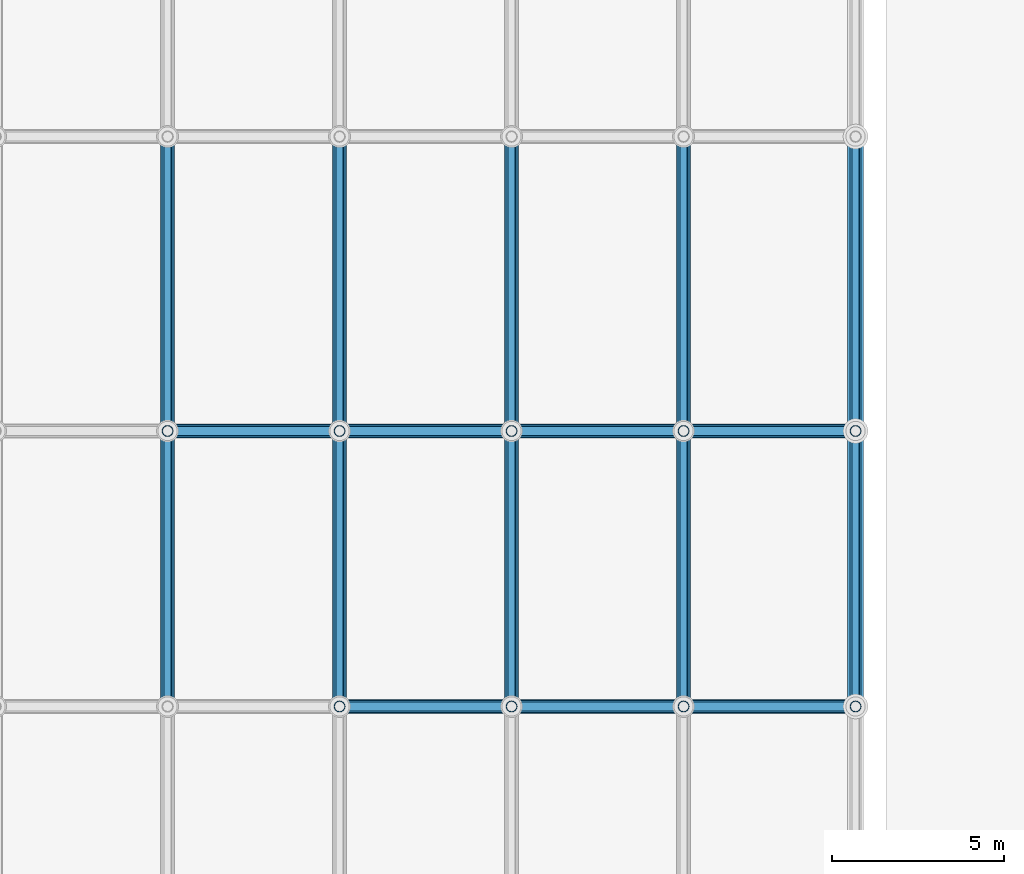
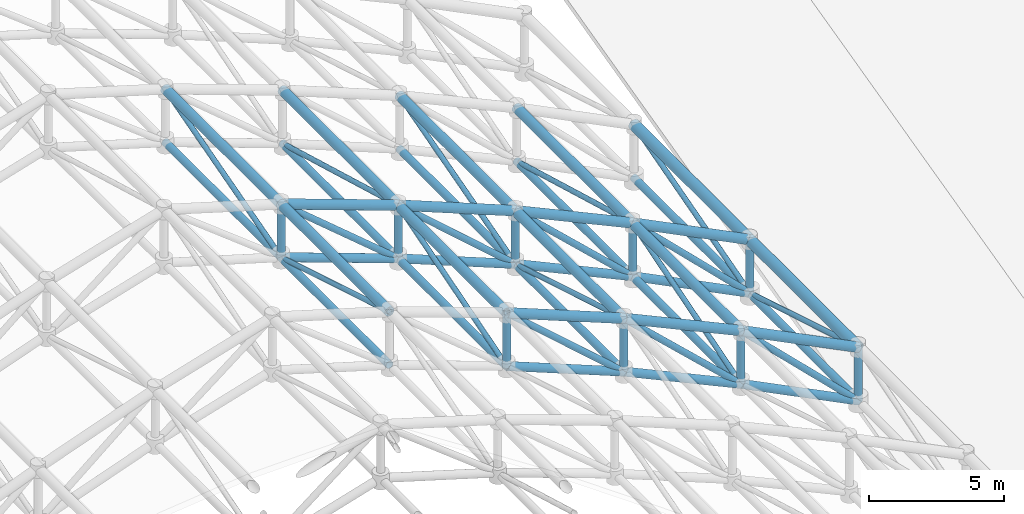
# One storey, part 8 of 11: 60 members.
"""IFC4 building model written with IfcOpenShell, lengths in metres."""

from ifc_helpers import new_model, si_unit, direction, frame, origin, origin_2d, place, context, subcontext, project, spatial, hollow_circle, extrude, material, material_profile, profile_set, type_object, element, save


model = new_model("IFC4")

# Units and contexts
model_context = context("Model", 3, precision=1e-05, world=origin(), true_north=direction((0.0, 1.0)))
body_context = subcontext(model_context, "Body", "Model", "MODEL_VIEW")
ifc_project = project(units=[si_unit("LENGTHUNIT", "METRE"), si_unit("AREAUNIT", "SQUARE_METRE"), si_unit("VOLUMEUNIT", "CUBIC_METRE"), si_unit("PLANEANGLEUNIT", "RADIAN"), si_unit("MASSUNIT", "GRAM", prefix="KILO")], contexts=[model_context])

# Site, building, storey
site_placement = place(None, origin())
site = spatial("IfcSite", under=ifc_project, at=site_placement, CompositionType="ELEMENT")
building_placement = place(site_placement, origin())
building = spatial("IfcBuilding", under=site, at=building_placement, Name="Kazehara Bluff Congress Hotel", CompositionType="ELEMENT")
storey_placement = place(building_placement, frame((0.0, 0.0, 50.39990234375)))
storey = spatial("IfcBuildingStorey", under=building, at=storey_placement, Name="RF", CompositionType="ELEMENT", Elevation=50.39990234375)

# Members
ifc_material_1 = material(Name="Steel STK490", Category="steel")
ifc_material_profile_1 = material_profile(ifc_material_1, hollow_circle(Radius=0.177734375, WallThickness=0.0126953125, at=origin_2d()))
ifc_profile_set_1 = profile_set([ifc_material_profile_1], Name="Steel STK490")
member_type_1 = type_object("IfcMemberType", Name="TP-SF-BC1", PredefinedType="CHORD", material=ifc_profile_set_1)
member_1_placement = place(storey_placement, frame((43.364990234375, 88.89990234375, -23.7998046875), z_axis=(0.928351468575, 0.0, -0.371703579207), x_axis=(0.0, 1.0, 0.0)))
element("IfcMember", 1, at=member_1_placement, inside=storey, type_object=member_type_1, Name="Congress roof space frame bottom arch chord 116", PredefinedType="CHORD", context=body_context, shape_type="SweptSolid", body=[
    extrude(hollow_circle(Radius=0.177734375, WallThickness=0.0126953125, at=origin_2d()), origin(), (0.0, 0.0, 1.0), 5.380615234375),
])
member_2_placement = place(storey_placement, frame((48.360107421875, 88.89990234375, -25.7998046875), z_axis=(0.908324180475, 0.0, -0.41826688031), x_axis=(0.0, 1.0, 0.0)))
element("IfcMember", 2, at=member_2_placement, inside=storey, type_object=member_type_1, Name="Congress roof space frame bottom arch chord 118", PredefinedType="CHORD", context=body_context, shape_type="SweptSolid", body=[
    extrude(hollow_circle(Radius=0.177734375, WallThickness=0.0126953125, at=origin_2d()), origin(), (0.0, 0.0, 1.0), 5.4990234375),
])
member_3_placement = place(storey_placement, frame((53.35498046875, 88.89990234375, -28.099853515625), z_axis=(0.894252293271, 0.0, -0.447563220093), x_axis=(0.0, 1.0, 0.0)))
element("IfcMember", 3, at=member_3_placement, inside=storey, type_object=member_type_1, Name="Congress roof space frame bottom arch chord 120", PredefinedType="CHORD", context=body_context, shape_type="SweptSolid", body=[
    extrude(hollow_circle(Radius=0.177734375, WallThickness=0.0126953125, at=origin_2d()), origin(), (0.0, 0.0, 1.0), 5.585693359375),
])
member_4_placement = place(storey_placement, frame((38.3701171875, 96.89990234375, -22.0), z_axis=(0.940788303939, 0.0, -0.338994641803), x_axis=(0.0, 1.0, 0.0)))
element("IfcMember", 4, at=member_4_placement, inside=storey, type_object=member_type_1, Name="Congress roof space frame bottom arch chord 134", PredefinedType="CHORD", context=body_context, shape_type="SweptSolid", body=[
    extrude(hollow_circle(Radius=0.177734375, WallThickness=0.0126953125, at=origin_2d()), origin(), (0.0, 0.0, 1.0), 5.309326171875),
])
member_5_placement = place(storey_placement, frame((43.364990234375, 96.89990234375, -23.7998046875), z_axis=(0.928351468575, 0.0, -0.371703579207), x_axis=(0.0, 1.0, 0.0)))
element("IfcMember", 5, at=member_5_placement, inside=storey, type_object=member_type_1, Name="Congress roof space frame bottom arch chord 136", PredefinedType="CHORD", context=body_context, shape_type="SweptSolid", body=[
    extrude(hollow_circle(Radius=0.177734375, WallThickness=0.0126953125, at=origin_2d()), origin(), (0.0, 0.0, 1.0), 5.380615234375),
])
member_6_placement = place(storey_placement, frame((48.360107421875, 96.89990234375, -25.7998046875), z_axis=(0.908324180475, 0.0, -0.41826688031), x_axis=(0.0, 1.0, 0.0)))
element("IfcMember", 6, at=member_6_placement, inside=storey, type_object=member_type_1, Name="Congress roof space frame bottom arch chord 138", PredefinedType="CHORD", context=body_context, shape_type="SweptSolid", body=[
    extrude(hollow_circle(Radius=0.177734375, WallThickness=0.0126953125, at=origin_2d()), origin(), (0.0, 0.0, 1.0), 5.4990234375),
])
member_7_placement = place(storey_placement, frame((53.35498046875, 96.89990234375, -28.099853515625), z_axis=(0.894252293271, 0.0, -0.447563220093), x_axis=(0.0, 1.0, 0.0)))
element("IfcMember", 7, at=member_7_placement, inside=storey, type_object=member_type_1, Name="Congress roof space frame bottom arch chord 140", PredefinedType="CHORD", context=body_context, shape_type="SweptSolid", body=[
    extrude(hollow_circle(Radius=0.177734375, WallThickness=0.0126953125, at=origin_2d()), origin(), (0.0, 0.0, 1.0), 5.585693359375),
])
ifc_material_2 = material(Name="Steel STK490", Category="steel")
ifc_material_profile_2 = material_profile(ifc_material_2, hollow_circle(Radius=0.1591796875, WallThickness=0.01025390625, at=origin_2d()))
ifc_profile_set_2 = profile_set([ifc_material_profile_2], Name="Steel STK490")
member_type_2 = type_object("IfcMemberType", Name="TP-SF-BC2", PredefinedType="CHORD", material=ifc_profile_set_2)
member_8_placement = place(storey_placement, frame((38.3701171875, 88.89990234375, -22.0), z_axis=(0.0, 1.0, 0.0), x_axis=(-1.0, 0.0, 0.0)))
element("IfcMember", 8, at=member_8_placement, inside=storey, type_object=member_type_2, Name="Congress roof space frame bottom longitudinal chord 288", PredefinedType="CHORD", context=body_context, shape_type="SweptSolid", body=[
    extrude(hollow_circle(Radius=0.1591796875, WallThickness=0.01025390625, at=origin_2d()), origin(), (0.0, 0.0, 1.0), 8.0),
])
member_9_placement = place(storey_placement, frame((38.3701171875, 96.89990234375, -22.0), z_axis=(0.0, 1.0, 0.0), x_axis=(-1.0, 0.0, 0.0)))
element("IfcMember", 9, at=member_9_placement, inside=storey, type_object=member_type_2, Name="Congress roof space frame bottom longitudinal chord 290", PredefinedType="CHORD", context=body_context, shape_type="SweptSolid", body=[
    extrude(hollow_circle(Radius=0.1591796875, WallThickness=0.01025390625, at=origin_2d()), origin(), (0.0, 0.0, 1.0), 8.550048828125),
])
member_10_placement = place(storey_placement, frame((43.364990234375, 88.89990234375, -23.7998046875), z_axis=(0.0, 1.0, 0.0), x_axis=(-1.0, 0.0, 0.0)))
element("IfcMember", 10, at=member_10_placement, inside=storey, type_object=member_type_2, Name="Congress roof space frame bottom longitudinal chord 304", PredefinedType="CHORD", context=body_context, shape_type="SweptSolid", body=[
    extrude(hollow_circle(Radius=0.1591796875, WallThickness=0.01025390625, at=origin_2d()), origin(), (0.0, 0.0, 1.0), 8.0),
])
member_11_placement = place(storey_placement, frame((43.364990234375, 96.89990234375, -23.7998046875), z_axis=(0.0, 1.0, 0.0), x_axis=(-1.0, 0.0, 0.0)))
element("IfcMember", 11, at=member_11_placement, inside=storey, type_object=member_type_2, Name="Congress roof space frame bottom longitudinal chord 306", PredefinedType="CHORD", context=body_context, shape_type="SweptSolid", body=[
    extrude(hollow_circle(Radius=0.1591796875, WallThickness=0.01025390625, at=origin_2d()), origin(), (0.0, 0.0, 1.0), 8.550048828125),
])
member_12_placement = place(storey_placement, frame((48.360107421875, 88.89990234375, -25.7998046875), z_axis=(0.0, 1.0, 0.0), x_axis=(-1.0, 0.0, 0.0)))
element("IfcMember", 12, at=member_12_placement, inside=storey, type_object=member_type_2, Name="Congress roof space frame bottom longitudinal chord 320", PredefinedType="CHORD", context=body_context, shape_type="SweptSolid", body=[
    extrude(hollow_circle(Radius=0.1591796875, WallThickness=0.01025390625, at=origin_2d()), origin(), (0.0, 0.0, 1.0), 8.0),
])
member_13_placement = place(storey_placement, frame((48.360107421875, 96.89990234375, -25.7998046875), z_axis=(0.0, 1.0, 0.0), x_axis=(-1.0, 0.0, 0.0)))
element("IfcMember", 13, at=member_13_placement, inside=storey, type_object=member_type_2, Name="Congress roof space frame bottom longitudinal chord 322", PredefinedType="CHORD", context=body_context, shape_type="SweptSolid", body=[
    extrude(hollow_circle(Radius=0.1591796875, WallThickness=0.01025390625, at=origin_2d()), origin(), (0.0, 0.0, 1.0), 8.550048828125),
])
member_14_placement = place(storey_placement, frame((53.35498046875, 88.89990234375, -28.099853515625), z_axis=(0.0, 1.0, 0.0), x_axis=(-1.0, 0.0, 0.0)))
element("IfcMember", 14, at=member_14_placement, inside=storey, type_object=member_type_2, Name="Congress roof space frame bottom longitudinal chord 336", PredefinedType="CHORD", context=body_context, shape_type="SweptSolid", body=[
    extrude(hollow_circle(Radius=0.1591796875, WallThickness=0.01025390625, at=origin_2d()), origin(), (0.0, 0.0, 1.0), 8.0),
])
member_15_placement = place(storey_placement, frame((53.35498046875, 96.89990234375, -28.099853515625), z_axis=(0.0, 1.0, 0.0), x_axis=(-1.0, 0.0, 0.0)))
element("IfcMember", 15, at=member_15_placement, inside=storey, type_object=member_type_2, Name="Congress roof space frame bottom longitudinal chord 338", PredefinedType="CHORD", context=body_context, shape_type="SweptSolid", body=[
    extrude(hollow_circle(Radius=0.1591796875, WallThickness=0.01025390625, at=origin_2d()), origin(), (0.0, 0.0, 1.0), 8.550048828125),
])
member_16_placement = place(storey_placement, frame((58.35009765625, 88.89990234375, -30.599853515625), z_axis=(0.0, 1.0, 0.0), x_axis=(-1.0, 0.0, 0.0)))
element("IfcMember", 16, at=member_16_placement, inside=storey, type_object=member_type_2, Name="Congress roof space frame bottom longitudinal chord 352", PredefinedType="CHORD", context=body_context, shape_type="SweptSolid", body=[
    extrude(hollow_circle(Radius=0.1591796875, WallThickness=0.01025390625, at=origin_2d()), origin(), (0.0, 0.0, 1.0), 8.0),
])
member_17_placement = place(storey_placement, frame((58.35009765625, 96.89990234375, -30.599853515625), z_axis=(0.0, 1.0, 0.0), x_axis=(-1.0, 0.0, 0.0)))
element("IfcMember", 17, at=member_17_placement, inside=storey, type_object=member_type_2, Name="Congress roof space frame bottom longitudinal chord 354", PredefinedType="CHORD", context=body_context, shape_type="SweptSolid", body=[
    extrude(hollow_circle(Radius=0.1591796875, WallThickness=0.01025390625, at=origin_2d()), origin(), (0.0, 0.0, 1.0), 8.550048828125),
])
ifc_material_3 = material(Name="Steel STK490", Category="steel")
ifc_material_profile_3 = material_profile(ifc_material_3, hollow_circle(Radius=0.1337890625, WallThickness=0.00927734375, at=origin_2d()))
ifc_profile_set_3 = profile_set([ifc_material_profile_3], Name="Steel STK490")
member_type_3 = type_object("IfcMemberType", Name="TP-SF-DG1", PredefinedType="BRACE", material=ifc_profile_set_3)
member_18_placement = place(storey_placement, frame((43.364990234375, 88.89990234375, -21.39990234375), z_axis=(0.750400574845, 0.0, -0.660983341146), x_axis=(0.0, 1.0, 0.0)))
element("IfcMember", 18, at=member_18_placement, inside=storey, type_object=member_type_3, Name="Congress roof space frame arch web diagonal 513", PredefinedType="BRACE", context=body_context, shape_type="SweptSolid", body=[
    extrude(hollow_circle(Radius=0.1337890625, WallThickness=0.00927734375, at=origin_2d()), origin(), (0.0, 0.0, 1.0), 6.656494140625),
])
member_19_placement = place(storey_placement, frame((48.360107421875, 88.89990234375, -23.39990234375), z_axis=(0.728280456647, 0.0, -0.685279195997), x_axis=(0.0, 1.0, 0.0)))
element("IfcMember", 19, at=member_19_placement, inside=storey, type_object=member_type_3, Name="Congress roof space frame arch web diagonal 514", PredefinedType="BRACE", context=body_context, shape_type="SweptSolid", body=[
    extrude(hollow_circle(Radius=0.1337890625, WallThickness=0.00927734375, at=origin_2d()), origin(), (0.0, 0.0, 1.0), 6.8583984375),
])
member_20_placement = place(storey_placement, frame((53.35498046875, 88.89990234375, -25.699951171875), z_axis=(0.713877868379, 0.0, -0.700270225726), x_axis=(0.0, 1.0, 0.0)))
element("IfcMember", 20, at=member_20_placement, inside=storey, type_object=member_type_3, Name="Congress roof space frame arch web diagonal 515", PredefinedType="BRACE", context=body_context, shape_type="SweptSolid", body=[
    extrude(hollow_circle(Radius=0.1337890625, WallThickness=0.00927734375, at=origin_2d()), origin(), (0.0, 0.0, 1.0), 6.9970703125),
])
member_21_placement = place(storey_placement, frame((38.3701171875, 96.89990234375, -19.599853515625), z_axis=(0.765383445182, 0.0, -0.643574534799), x_axis=(0.0, 1.0, 0.0)))
element("IfcMember", 21, at=member_21_placement, inside=storey, type_object=member_type_3, Name="Congress roof space frame arch web diagonal 522", PredefinedType="BRACE", context=body_context, shape_type="SweptSolid", body=[
    extrude(hollow_circle(Radius=0.1337890625, WallThickness=0.00927734375, at=origin_2d()), origin(), (0.0, 0.0, 1.0), 6.52587890625),
])
member_22_placement = place(storey_placement, frame((43.364990234375, 96.89990234375, -21.39990234375), z_axis=(0.750400574845, 0.0, -0.660983341146), x_axis=(0.0, 1.0, 0.0)))
element("IfcMember", 22, at=member_22_placement, inside=storey, type_object=member_type_3, Name="Congress roof space frame arch web diagonal 523", PredefinedType="BRACE", context=body_context, shape_type="SweptSolid", body=[
    extrude(hollow_circle(Radius=0.1337890625, WallThickness=0.00927734375, at=origin_2d()), origin(), (0.0, 0.0, 1.0), 6.656494140625),
])
member_23_placement = place(storey_placement, frame((48.360107421875, 96.89990234375, -23.39990234375), z_axis=(0.728280456647, 0.0, -0.685279195997), x_axis=(0.0, 1.0, 0.0)))
element("IfcMember", 23, at=member_23_placement, inside=storey, type_object=member_type_3, Name="Congress roof space frame arch web diagonal 524", PredefinedType="BRACE", context=body_context, shape_type="SweptSolid", body=[
    extrude(hollow_circle(Radius=0.1337890625, WallThickness=0.00927734375, at=origin_2d()), origin(), (0.0, 0.0, 1.0), 6.8583984375),
])
member_24_placement = place(storey_placement, frame((53.35498046875, 96.89990234375, -25.699951171875), z_axis=(0.713877868379, 0.0, -0.700270225726), x_axis=(0.0, 1.0, 0.0)))
element("IfcMember", 24, at=member_24_placement, inside=storey, type_object=member_type_3, Name="Congress roof space frame arch web diagonal 525", PredefinedType="BRACE", context=body_context, shape_type="SweptSolid", body=[
    extrude(hollow_circle(Radius=0.1337890625, WallThickness=0.00927734375, at=origin_2d()), origin(), (0.0, 0.0, 1.0), 6.9970703125),
])
ifc_material_4 = material(Name="Steel STK490", Category="steel")
ifc_material_profile_4 = material_profile(ifc_material_4, hollow_circle(Radius=0.108154296875, WallThickness=0.00830078125, at=origin_2d()))
ifc_profile_set_4 = profile_set([ifc_material_profile_4], Name="Steel STK490")
member_type_4 = type_object("IfcMemberType", Name="TP-SF-DG2", PredefinedType="BRACE", material=ifc_profile_set_4)
member_25_placement = place(storey_placement, frame((38.3701171875, 88.89990234375, -19.599853515625), z_axis=(0.0, 0.957821458049, -0.287363975649), x_axis=(-1.0, 0.0, 0.0)))
element("IfcMember", 25, at=member_25_placement, inside=storey, type_object=member_type_4, Name="Congress roof space frame transverse web diagonal 599", PredefinedType="BRACE", context=body_context, shape_type="SweptSolid", body=[
    extrude(hollow_circle(Radius=0.108154296875, WallThickness=0.00830078125, at=origin_2d()), origin(), (0.0, 0.0, 1.0), 8.352294921875),
])
member_26_placement = place(storey_placement, frame((38.3701171875, 96.89990234375, -22.0), z_axis=(0.0, 0.962784499333, 0.270270249648), x_axis=(-1.0, 0.0, 0.0)))
element("IfcMember", 26, at=member_26_placement, inside=storey, type_object=member_type_4, Name="Congress roof space frame transverse web diagonal 600", PredefinedType="BRACE", context=body_context, shape_type="SweptSolid", body=[
    extrude(hollow_circle(Radius=0.108154296875, WallThickness=0.00830078125, at=origin_2d()), origin(), (0.0, 0.0, 1.0), 8.880615234375),
])
member_27_placement = place(storey_placement, frame((43.364990234375, 88.89990234375, -23.7998046875), z_axis=(0.0, 0.957829503213, 0.287337158709), x_axis=(-1.0, 0.0, 0.0)))
element("IfcMember", 27, at=member_27_placement, inside=storey, type_object=member_type_4, Name="Congress roof space frame transverse web diagonal 607", PredefinedType="BRACE", context=body_context, shape_type="SweptSolid", body=[
    extrude(hollow_circle(Radius=0.108154296875, WallThickness=0.00830078125, at=origin_2d()), origin(), (0.0, 0.0, 1.0), 8.352294921875),
])
member_28_placement = place(storey_placement, frame((43.364990234375, 96.89990234375, -21.39990234375), z_axis=(0.0, 0.962791652702, -0.270244765885), x_axis=(-1.0, 0.0, 0.0)))
element("IfcMember", 28, at=member_28_placement, inside=storey, type_object=member_type_4, Name="Congress roof space frame transverse web diagonal 608", PredefinedType="BRACE", context=body_context, shape_type="SweptSolid", body=[
    extrude(hollow_circle(Radius=0.108154296875, WallThickness=0.00830078125, at=origin_2d()), origin(), (0.0, 0.0, 1.0), 8.88037109375),
])
member_29_placement = place(storey_placement, frame((48.360107421875, 88.89990234375, -23.39990234375), z_axis=(0.0, 0.957829503213, -0.287337158709), x_axis=(-1.0, 0.0, 0.0)))
element("IfcMember", 29, at=member_29_placement, inside=storey, type_object=member_type_4, Name="Congress roof space frame transverse web diagonal 615", PredefinedType="BRACE", context=body_context, shape_type="SweptSolid", body=[
    extrude(hollow_circle(Radius=0.108154296875, WallThickness=0.00830078125, at=origin_2d()), origin(), (0.0, 0.0, 1.0), 8.352294921875),
])
member_30_placement = place(storey_placement, frame((48.360107421875, 96.89990234375, -25.7998046875), z_axis=(0.0, 0.962791652702, 0.270244765885), x_axis=(-1.0, 0.0, 0.0)))
element("IfcMember", 30, at=member_30_placement, inside=storey, type_object=member_type_4, Name="Congress roof space frame transverse web diagonal 616", PredefinedType="BRACE", context=body_context, shape_type="SweptSolid", body=[
    extrude(hollow_circle(Radius=0.108154296875, WallThickness=0.00830078125, at=origin_2d()), origin(), (0.0, 0.0, 1.0), 8.88037109375),
])
member_31_placement = place(storey_placement, frame((53.35498046875, 88.89990234375, -28.099853515625), z_axis=(0.0, 0.957829503213, 0.287337158709), x_axis=(-1.0, 0.0, 0.0)))
element("IfcMember", 31, at=member_31_placement, inside=storey, type_object=member_type_4, Name="Congress roof space frame transverse web diagonal 623", PredefinedType="BRACE", context=body_context, shape_type="SweptSolid", body=[
    extrude(hollow_circle(Radius=0.108154296875, WallThickness=0.00830078125, at=origin_2d()), origin(), (0.0, 0.0, 1.0), 8.352294921875),
])
member_32_placement = place(storey_placement, frame((53.35498046875, 96.89990234375, -25.699951171875), z_axis=(0.0, 0.962791652702, -0.270244765885), x_axis=(-1.0, 0.0, 0.0)))
element("IfcMember", 32, at=member_32_placement, inside=storey, type_object=member_type_4, Name="Congress roof space frame transverse web diagonal 624", PredefinedType="BRACE", context=body_context, shape_type="SweptSolid", body=[
    extrude(hollow_circle(Radius=0.108154296875, WallThickness=0.00830078125, at=origin_2d()), origin(), (0.0, 0.0, 1.0), 8.88037109375),
])
member_33_placement = place(storey_placement, frame((58.35009765625, 88.89990234375, -28.199951171875), z_axis=(0.0, 0.957829503213, -0.287337158709), x_axis=(-1.0, 0.0, 0.0)))
element("IfcMember", 33, at=member_33_placement, inside=storey, type_object=member_type_4, Name="Congress roof space frame transverse web diagonal 631", PredefinedType="BRACE", context=body_context, shape_type="SweptSolid", body=[
    extrude(hollow_circle(Radius=0.108154296875, WallThickness=0.00830078125, at=origin_2d()), origin(), (0.0, 0.0, 1.0), 8.352294921875),
])
member_34_placement = place(storey_placement, frame((58.35009765625, 96.89990234375, -30.599853515625), z_axis=(0.0, 0.962791652702, 0.270244765885), x_axis=(-1.0, 0.0, 0.0)))
element("IfcMember", 34, at=member_34_placement, inside=storey, type_object=member_type_4, Name="Congress roof space frame transverse web diagonal 632", PredefinedType="BRACE", context=body_context, shape_type="SweptSolid", body=[
    extrude(hollow_circle(Radius=0.108154296875, WallThickness=0.00830078125, at=origin_2d()), origin(), (0.0, 0.0, 1.0), 8.88037109375),
])
ifc_material_5 = material(Name="Steel STK490", Category="steel")
ifc_material_profile_5 = material_profile(ifc_material_5, hollow_circle(Radius=0.1591796875, WallThickness=0.01025390625, at=origin_2d()))
ifc_profile_set_5 = profile_set([ifc_material_profile_5], Name="Steel STK490")
member_type_5 = type_object("IfcMemberType", Name="TP-SF-PS1", PredefinedType="POST", material=ifc_profile_set_5)
member_35_placement = place(storey_placement, frame((38.3701171875, 96.89990234375, -22.0), z_axis=(0.0, 0.0, 1.0), x_axis=(1.0, 0.0, 0.0)))
element("IfcMember", 35, at=member_35_placement, inside=storey, type_object=member_type_5, Name="Congress roof space frame vertical post 417", PredefinedType="POST", context=body_context, shape_type="SweptSolid", body=[
    extrude(hollow_circle(Radius=0.1591796875, WallThickness=0.01025390625, at=origin_2d()), origin(), (0.0, 0.0, 1.0), 2.400146484375),
])
for number, where, z_axis, x_axis, name in (
    (36, (43.364990234375, 88.89990234375, -23.7998046875), (0.0, 0.0, 1.0), (1.0, 0.0, 0.0), "Congress roof space frame vertical post 425"),
    (37, (43.364990234375, 96.89990234375, -23.7998046875), (0.0, 0.0, 1.0), (1.0, 0.0, 0.0), "Congress roof space frame vertical post 426"),
    (38, (48.360107421875, 88.89990234375, -25.7998046875), (0.0, 0.0, 1.0), (1.0, 0.0, 0.0), "Congress roof space frame vertical post 434"),
    (39, (48.360107421875, 96.89990234375, -25.7998046875), (0.0, 0.0, 1.0), (1.0, 0.0, 0.0), "Congress roof space frame vertical post 435"),
    (40, (53.35498046875, 88.89990234375, -28.099853515625), (0.0, 0.0, 1.0), (1.0, 0.0, 0.0), "Congress roof space frame vertical post 443"),
    (41, (53.35498046875, 96.89990234375, -28.099853515625), (0.0, 0.0, 1.0), (1.0, 0.0, 0.0), "Congress roof space frame vertical post 444"),
    (42, (58.35009765625, 88.89990234375, -30.599853515625), (0.0, 0.0, 1.0), (1.0, 0.0, 0.0), "Congress roof space frame vertical post 452"),
    (43, (58.35009765625, 96.89990234375, -30.599853515625), (0.0, 0.0, 1.0), (1.0, 0.0, 0.0), "Congress roof space frame vertical post 453"),
):
    element("IfcMember", number, at=place(storey_placement, frame(where, z_axis=z_axis, x_axis=x_axis)), inside=storey, type_object=member_type_5, Name=name, PredefinedType="POST", context=body_context, shape_type="SweptSolid", body=[
        extrude(hollow_circle(Radius=0.1591796875, WallThickness=0.01025390625, at=origin_2d()), origin(), (0.0, 0.0, 1.0), 2.39990234375),
    ])
ifc_material_6 = material(Name="Steel STK490", Category="steel")
ifc_material_profile_6 = material_profile(ifc_material_6, hollow_circle(Radius=0.203125, WallThickness=0.0126953125, at=origin_2d()))
ifc_profile_set_6 = profile_set([ifc_material_profile_6], Name="Steel STK490")
member_type_6 = type_object("IfcMemberType", Name="TP-SF-TC1", PredefinedType="CHORD", material=ifc_profile_set_6)
member_36_placement = place(storey_placement, frame((43.364990234375, 88.89990234375, -21.39990234375), z_axis=(0.928351468575, 0.0, -0.371703579207), x_axis=(0.0, 1.0, 0.0)))
element("IfcMember", 44, at=member_36_placement, inside=storey, type_object=member_type_6, Name="Congress roof space frame top arch chord 115", PredefinedType="CHORD", context=body_context, shape_type="SweptSolid", body=[
    extrude(hollow_circle(Radius=0.203125, WallThickness=0.0126953125, at=origin_2d()), origin(), (0.0, 0.0, 1.0), 5.380615234375),
])
member_37_placement = place(storey_placement, frame((48.360107421875, 88.89990234375, -23.39990234375), z_axis=(0.908324180475, 0.0, -0.41826688031), x_axis=(0.0, 1.0, 0.0)))
element("IfcMember", 45, at=member_37_placement, inside=storey, type_object=member_type_6, Name="Congress roof space frame top arch chord 117", PredefinedType="CHORD", context=body_context, shape_type="SweptSolid", body=[
    extrude(hollow_circle(Radius=0.203125, WallThickness=0.0126953125, at=origin_2d()), origin(), (0.0, 0.0, 1.0), 5.4990234375),
])
member_38_placement = place(storey_placement, frame((53.35498046875, 88.89990234375, -25.699951171875), z_axis=(0.894252293271, 0.0, -0.447563220093), x_axis=(0.0, 1.0, 0.0)))
element("IfcMember", 46, at=member_38_placement, inside=storey, type_object=member_type_6, Name="Congress roof space frame top arch chord 119", PredefinedType="CHORD", context=body_context, shape_type="SweptSolid", body=[
    extrude(hollow_circle(Radius=0.203125, WallThickness=0.0126953125, at=origin_2d()), origin(), (0.0, 0.0, 1.0), 5.585693359375),
])
member_39_placement = place(storey_placement, frame((38.3701171875, 96.89990234375, -19.599853515625), z_axis=(0.940773637944, 0.0, -0.339035340562), x_axis=(0.0, 1.0, 0.0)))
element("IfcMember", 47, at=member_39_placement, inside=storey, type_object=member_type_6, Name="Congress roof space frame top arch chord 133", PredefinedType="CHORD", context=body_context, shape_type="SweptSolid", body=[
    extrude(hollow_circle(Radius=0.203125, WallThickness=0.0126953125, at=origin_2d()), origin(), (0.0, 0.0, 1.0), 5.309326171875),
])
member_40_placement = place(storey_placement, frame((43.364990234375, 96.89990234375, -21.39990234375), z_axis=(0.928351468575, 0.0, -0.371703579207), x_axis=(0.0, 1.0, 0.0)))
element("IfcMember", 48, at=member_40_placement, inside=storey, type_object=member_type_6, Name="Congress roof space frame top arch chord 135", PredefinedType="CHORD", context=body_context, shape_type="SweptSolid", body=[
    extrude(hollow_circle(Radius=0.203125, WallThickness=0.0126953125, at=origin_2d()), origin(), (0.0, 0.0, 1.0), 5.380615234375),
])
member_41_placement = place(storey_placement, frame((48.360107421875, 96.89990234375, -23.39990234375), z_axis=(0.908324180475, 0.0, -0.41826688031), x_axis=(0.0, 1.0, 0.0)))
element("IfcMember", 49, at=member_41_placement, inside=storey, type_object=member_type_6, Name="Congress roof space frame top arch chord 137", PredefinedType="CHORD", context=body_context, shape_type="SweptSolid", body=[
    extrude(hollow_circle(Radius=0.203125, WallThickness=0.0126953125, at=origin_2d()), origin(), (0.0, 0.0, 1.0), 5.4990234375),
])
member_42_placement = place(storey_placement, frame((53.35498046875, 96.89990234375, -25.699951171875), z_axis=(0.894252293271, 0.0, -0.447563220093), x_axis=(0.0, 1.0, 0.0)))
element("IfcMember", 50, at=member_42_placement, inside=storey, type_object=member_type_6, Name="Congress roof space frame top arch chord 139", PredefinedType="CHORD", context=body_context, shape_type="SweptSolid", body=[
    extrude(hollow_circle(Radius=0.203125, WallThickness=0.0126953125, at=origin_2d()), origin(), (0.0, 0.0, 1.0), 5.585693359375),
])
member_43_placement = place(storey_placement, frame((38.3701171875, 88.89990234375, -19.599853515625), z_axis=(0.0, 1.0, 0.0), x_axis=(-1.0, 0.0, 0.0)))
element("IfcMember", 51, at=member_43_placement, inside=storey, type_object=member_type_6, Name="Congress roof space frame top longitudinal chord 287", PredefinedType="CHORD", context=body_context, shape_type="SweptSolid", body=[
    extrude(hollow_circle(Radius=0.203125, WallThickness=0.0126953125, at=origin_2d()), origin(), (0.0, 0.0, 1.0), 8.0),
])
member_44_placement = place(storey_placement, frame((38.3701171875, 96.89990234375, -19.599853515625), z_axis=(0.0, 1.0, 0.0), x_axis=(-1.0, 0.0, 0.0)))
element("IfcMember", 52, at=member_44_placement, inside=storey, type_object=member_type_6, Name="Congress roof space frame top longitudinal chord 289", PredefinedType="CHORD", context=body_context, shape_type="SweptSolid", body=[
    extrude(hollow_circle(Radius=0.203125, WallThickness=0.0126953125, at=origin_2d()), origin(), (0.0, 0.0, 1.0), 8.550048828125),
])
member_45_placement = place(storey_placement, frame((43.364990234375, 88.89990234375, -21.39990234375), z_axis=(0.0, 1.0, 0.0), x_axis=(-1.0, 0.0, 0.0)))
element("IfcMember", 53, at=member_45_placement, inside=storey, type_object=member_type_6, Name="Congress roof space frame top longitudinal chord 303", PredefinedType="CHORD", context=body_context, shape_type="SweptSolid", body=[
    extrude(hollow_circle(Radius=0.203125, WallThickness=0.0126953125, at=origin_2d()), origin(), (0.0, 0.0, 1.0), 8.0),
])
member_46_placement = place(storey_placement, frame((43.364990234375, 96.89990234375, -21.39990234375), z_axis=(0.0, 1.0, 0.0), x_axis=(-1.0, 0.0, 0.0)))
element("IfcMember", 54, at=member_46_placement, inside=storey, type_object=member_type_6, Name="Congress roof space frame top longitudinal chord 305", PredefinedType="CHORD", context=body_context, shape_type="SweptSolid", body=[
    extrude(hollow_circle(Radius=0.203125, WallThickness=0.0126953125, at=origin_2d()), origin(), (0.0, 0.0, 1.0), 8.550048828125),
])
member_47_placement = place(storey_placement, frame((48.360107421875, 88.89990234375, -23.39990234375), z_axis=(0.0, 1.0, 0.0), x_axis=(-1.0, 0.0, 0.0)))
element("IfcMember", 55, at=member_47_placement, inside=storey, type_object=member_type_6, Name="Congress roof space frame top longitudinal chord 319", PredefinedType="CHORD", context=body_context, shape_type="SweptSolid", body=[
    extrude(hollow_circle(Radius=0.203125, WallThickness=0.0126953125, at=origin_2d()), origin(), (0.0, 0.0, 1.0), 8.0),
])
member_48_placement = place(storey_placement, frame((48.360107421875, 96.89990234375, -23.39990234375), z_axis=(0.0, 1.0, 0.0), x_axis=(-1.0, 0.0, 0.0)))
element("IfcMember", 56, at=member_48_placement, inside=storey, type_object=member_type_6, Name="Congress roof space frame top longitudinal chord 321", PredefinedType="CHORD", context=body_context, shape_type="SweptSolid", body=[
    extrude(hollow_circle(Radius=0.203125, WallThickness=0.0126953125, at=origin_2d()), origin(), (0.0, 0.0, 1.0), 8.550048828125),
])
member_49_placement = place(storey_placement, frame((53.35498046875, 88.89990234375, -25.699951171875), z_axis=(0.0, 1.0, 0.0), x_axis=(-1.0, 0.0, 0.0)))
element("IfcMember", 57, at=member_49_placement, inside=storey, type_object=member_type_6, Name="Congress roof space frame top longitudinal chord 335", PredefinedType="CHORD", context=body_context, shape_type="SweptSolid", body=[
    extrude(hollow_circle(Radius=0.203125, WallThickness=0.0126953125, at=origin_2d()), origin(), (0.0, 0.0, 1.0), 8.0),
])
member_50_placement = place(storey_placement, frame((53.35498046875, 96.89990234375, -25.699951171875), z_axis=(0.0, 1.0, 0.0), x_axis=(-1.0, 0.0, 0.0)))
element("IfcMember", 58, at=member_50_placement, inside=storey, type_object=member_type_6, Name="Congress roof space frame top longitudinal chord 337", PredefinedType="CHORD", context=body_context, shape_type="SweptSolid", body=[
    extrude(hollow_circle(Radius=0.203125, WallThickness=0.0126953125, at=origin_2d()), origin(), (0.0, 0.0, 1.0), 8.550048828125),
])
ifc_material_7 = material(Name="Steel STK490", Category="steel")
ifc_material_profile_7 = material_profile(ifc_material_7, hollow_circle(Radius=0.228515625, WallThickness=0.013916015625, at=origin_2d()))
ifc_profile_set_7 = profile_set([ifc_material_profile_7], Name="Steel STK490")
member_type_7 = type_object("IfcMemberType", Name="TP-SF-TC2", PredefinedType="CHORD", material=ifc_profile_set_7)
member_51_placement = place(storey_placement, frame((58.35009765625, 88.89990234375, -28.199951171875), z_axis=(0.0, 1.0, 0.0), x_axis=(-1.0, 0.0, 0.0)))
element("IfcMember", 59, at=member_51_placement, inside=storey, type_object=member_type_7, Name="Congress roof space frame top longitudinal chord 351", PredefinedType="CHORD", context=body_context, shape_type="SweptSolid", body=[
    extrude(hollow_circle(Radius=0.228515625, WallThickness=0.013916015625, at=origin_2d()), origin(), (0.0, 0.0, 1.0), 8.0),
])
member_52_placement = place(storey_placement, frame((58.35009765625, 96.89990234375, -28.199951171875), z_axis=(0.0, 1.0, 0.0), x_axis=(-1.0, 0.0, 0.0)))
element("IfcMember", 60, at=member_52_placement, inside=storey, type_object=member_type_7, Name="Congress roof space frame top longitudinal chord 353", PredefinedType="CHORD", context=body_context, shape_type="SweptSolid", body=[
    extrude(hollow_circle(Radius=0.228515625, WallThickness=0.013916015625, at=origin_2d()), origin(), (0.0, 0.0, 1.0), 8.550048828125),
])

save(model, "model.ifc")
